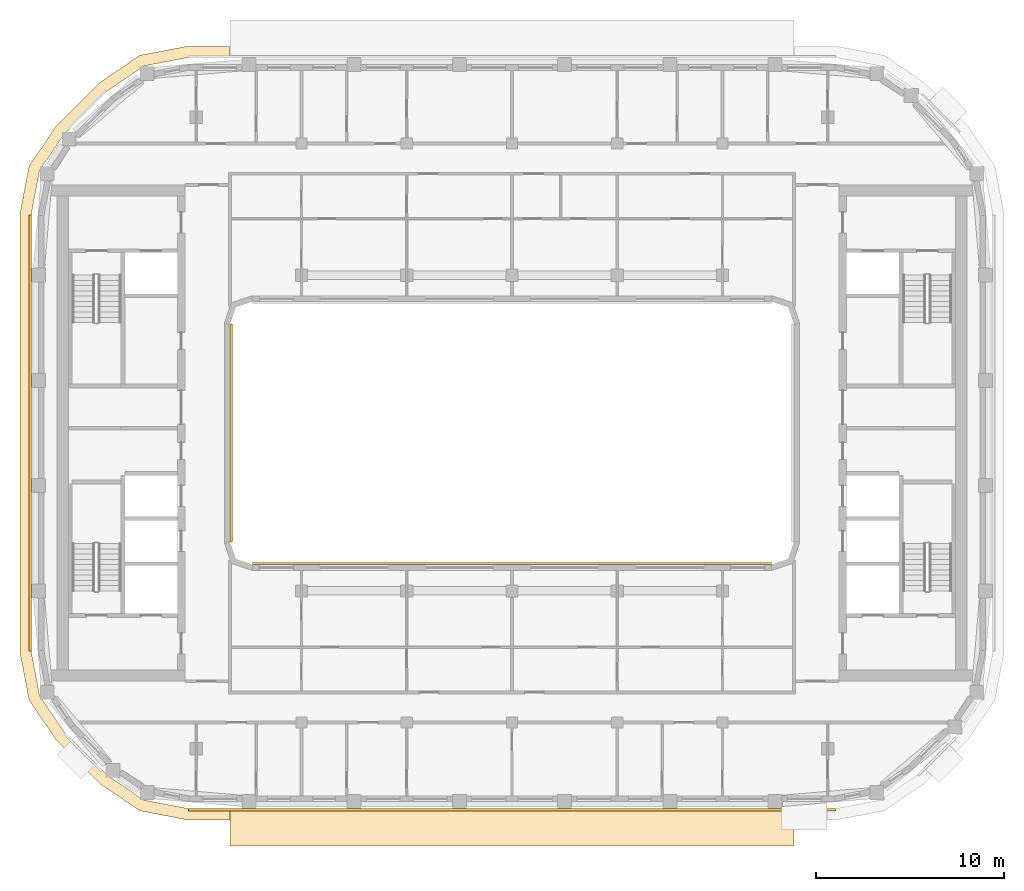
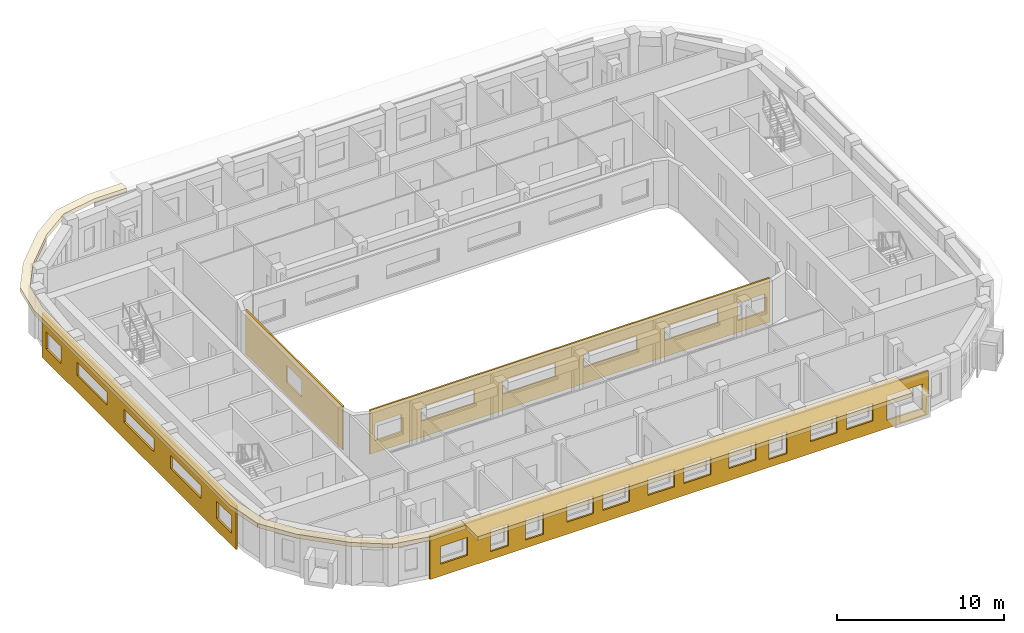
# One storey, part 11 of 16: 6 coverings.
"""IFC4 building model written with IfcOpenShell, lengths in metres."""

from ifc_helpers import new_model, si_unit, direction, frame, origin, place, context, subcontext, project, spatial, polyline, outline, extrude, material, layer, layer_set, type_object, element, save


model = new_model("IFC4")

# Units and contexts
model_context = context("Model", 3, precision=1e-05, world=origin(), true_north=direction((0.0, 1.0)))
body_context = subcontext(model_context, "Body", "Model", "MODEL_VIEW")
ifc_project = project(units=[si_unit("LENGTHUNIT", "METRE"), si_unit("AREAUNIT", "SQUARE_METRE"), si_unit("VOLUMEUNIT", "CUBIC_METRE"), si_unit("PLANEANGLEUNIT", "RADIAN"), si_unit("MASSUNIT", "GRAM", prefix="KILO")], contexts=[model_context])

# Site, building, storey
site_placement = place(None, origin())
site = spatial("IfcSite", under=ifc_project, at=site_placement, CompositionType="ELEMENT")
building_placement = place(site_placement, origin())
building = spatial("IfcBuilding", under=site, at=building_placement, Name="Kiln Ring Residences", CompositionType="ELEMENT")
storey_placement = place(building_placement, frame((0.0, 0.0, 273.199951171875)))
storey = spatial("IfcBuildingStorey", under=building, at=storey_placement, Name="L71", CompositionType="ELEMENT", Elevation=273.199951171875)

# Coverings
ifc_material_1 = material(Name="Brick masonry, dark clay brick", Category="masonry")
ifc_layer_1 = layer(ifc_material_1, 0.1201171875)
ifc_layer_set_1 = layer_set([ifc_layer_1], Name="RAINSCREEN PANEL 120")
covering_type_1 = type_object("IfcCoveringType", Name="RAINSCREEN PANEL 120", PredefinedType="CLADDING", material=ifc_layer_set_1)
covering_1_placement = place(storey_placement, frame((-17.199951171875, -20.034912109375, 0.0), z_axis=(0.0, 0.0, 1.0), x_axis=(1.0, 0.0, 0.0)))
element("IfcCovering", 1, at=covering_1_placement, inside=storey, type_object=covering_type_1, Name="RAINSCREEN L71", PredefinedType="CLADDING", context=body_context, shape_type="SweptSolid", body=[
    extrude(outline(polyline([(0.0, 0.0), (34.39990234375, 0.0), (34.39990234375, 3.199951171875), (0.0, 3.199951171875), (0.0, 0.0)]), holes=[polyline([(4.179931640625, 0.580078125), (5.419921875, 0.580078125), (5.419921875, 2.170166015625), (4.179931640625, 2.170166015625), (4.179931640625, 0.580078125)]), polyline([(6.580078125, 2.170166015625), (6.580078125, 0.580078125), (7.820068359375, 0.580078125), (7.820068359375, 2.170166015625), (6.580078125, 2.170166015625)]), polyline([(0.72998046875, 2.170166015625), (0.72998046875, 0.880126953125), (2.570068359375, 0.880126953125), (2.570068359375, 2.170166015625), (0.72998046875, 2.170166015625)]), polyline([(9.429931640625, 0.880126953125), (11.27001953125, 0.880126953125), (11.27001953125, 2.170166015625), (9.429931640625, 2.170166015625), (9.429931640625, 0.880126953125)]), polyline([(11.929931640625, 2.170166015625), (11.929931640625, 0.880126953125), (13.77001953125, 0.880126953125), (13.77001953125, 2.170166015625), (11.929931640625, 2.170166015625)]), polyline([(15.030029296875, 2.170166015625), (15.030029296875, 0.880126953125), (16.8701171875, 0.880126953125), (16.8701171875, 2.170166015625), (15.030029296875, 2.170166015625)]), polyline([(23.3798828125, 0.580078125), (24.6201171875, 0.580078125), (24.6201171875, 2.170166015625), (23.3798828125, 2.170166015625), (23.3798828125, 0.580078125)]), polyline([(31.530029296875, 2.3701171875), (31.530029296875, 0.580078125), (33.969970703125, 0.580078125), (33.969970703125, 2.3701171875), (31.530029296875, 2.3701171875)]), polyline([(17.530029296875, 2.170166015625), (17.530029296875, 0.880126953125), (19.3701171875, 0.880126953125), (19.3701171875, 2.170166015625), (17.530029296875, 2.170166015625)]), polyline([(20.6298828125, 0.880126953125), (22.469970703125, 0.880126953125), (22.469970703125, 2.170166015625), (20.6298828125, 2.170166015625), (20.6298828125, 0.880126953125)]), polyline([(26.22998046875, 2.170166015625), (26.22998046875, 0.880126953125), (28.070068359375, 0.880126953125), (28.070068359375, 2.170166015625), (26.22998046875, 2.170166015625)]), polyline([(28.72998046875, 2.170166015625), (28.72998046875, 0.880126953125), (30.570068359375, 0.880126953125), (30.570068359375, 2.170166015625), (28.72998046875, 2.170166015625)])]), frame((0.0, 0.06005859375, 0.0), z_axis=(0.0, -1.0, 0.0), x_axis=(1.0, 0.0, 0.0)), (0.0, 0.0, 1.0), 0.1201171875),
])
covering_2_placement = place(storey_placement, frame((-25.635009765625, 11.60009765625, 0.0), z_axis=(0.0, 0.0, 1.0), x_axis=(0.0, -1.0, 0.0)))
element("IfcCovering", 2, at=covering_2_placement, inside=storey, type_object=covering_type_1, Name="RAINSCREEN L71", PredefinedType="CLADDING", context=body_context, shape_type="SweptSolid", body=[
    extrude(outline(polyline([(0.0, 0.0), (23.199951171875, 0.0), (23.199951171875, 3.199951171875), (0.0, 3.199951171875), (0.0, 0.0)]), holes=[polyline([(2.3125, 0.900146484375), (2.3125, 2.150146484375), (0.512451171875, 2.150146484375), (0.512451171875, 0.900146484375), (2.3125, 0.900146484375)]), polyline([(22.6875, 0.900146484375), (22.6875, 2.150146484375), (20.887451171875, 2.150146484375), (20.887451171875, 0.900146484375), (22.6875, 0.900146484375)]), polyline([(7.800048828125, 1.199951171875), (7.800048828125, 2.150146484375), (4.199951171875, 2.150146484375), (4.199951171875, 1.199951171875), (7.800048828125, 1.199951171875)]), polyline([(9.800048828125, 1.199951171875), (13.39990234375, 1.199951171875), (13.39990234375, 2.150146484375), (9.800048828125, 2.150146484375), (9.800048828125, 1.199951171875)]), polyline([(15.39990234375, 1.199951171875), (19.0, 1.199951171875), (19.0, 2.150146484375), (15.39990234375, 2.150146484375), (15.39990234375, 1.199951171875)])]), frame((0.0, 0.06005859375, 0.0), z_axis=(0.0, -1.0, 0.0), x_axis=(1.0, 0.0, 0.0)), (0.0, 0.0, 1.0), 0.1201171875),
])
covering_3_placement = place(storey_placement, frame((-14.93994140625, -5.800048828125, 0.0), z_axis=(0.0, 0.0, 1.0), x_axis=(0.0, 1.0, 0.0)))
element("IfcCovering", 3, at=covering_3_placement, inside=storey, type_object=covering_type_1, Name="RAINSCREEN L71", PredefinedType="CLADDING", context=body_context, shape_type="SweptSolid", body=[
    extrude(outline(polyline([(0.0, 0.0), (11.60009765625, 0.0), (11.60009765625, 3.199951171875), (0.0, 3.199951171875), (0.0, 0.0)]), holes=[polyline([(4.89990234375, 2.150146484375), (4.89990234375, 0.900146484375), (6.699951171875, 0.900146484375), (6.699951171875, 2.150146484375), (4.89990234375, 2.150146484375)])]), frame((0.0, 0.06005859375, 0.0), z_axis=(0.0, -1.0, 0.0), x_axis=(1.0, 0.0, 0.0)), (0.0, 0.0, 1.0), 0.1201171875),
])
covering_4_placement = place(storey_placement, frame((13.800048828125, -6.93994140625, 0.0), z_axis=(0.0, 0.0, 1.0), x_axis=(-1.0, 0.0, 0.0)))
element("IfcCovering", 4, at=covering_4_placement, inside=storey, type_object=covering_type_1, Name="RAINSCREEN L71", PredefinedType="CLADDING", context=body_context, shape_type="SweptSolid", body=[
    extrude(outline(polyline([(0.0, 0.0), (27.60009765625, 0.0), (27.60009765625, 3.199951171875), (0.0, 3.199951171875), (0.0, 0.0)]), holes=[polyline([(2.1826171875, 0.880126953125), (2.1826171875, 2.170166015625), (0.342529296875, 2.170166015625), (0.342529296875, 0.880126953125), (2.1826171875, 0.880126953125)]), polyline([(25.41748046875, 0.880126953125), (27.257568359375, 0.880126953125), (27.257568359375, 2.170166015625), (25.41748046875, 2.170166015625), (25.41748046875, 0.880126953125)]), polyline([(3.580078125, 1.179931640625), (7.219970703125, 1.179931640625), (7.219970703125, 2.170166015625), (3.580078125, 2.170166015625), (3.580078125, 1.179931640625)]), polyline([(12.820068359375, 1.179931640625), (12.820068359375, 2.170166015625), (9.179931640625, 2.170166015625), (9.179931640625, 1.179931640625), (12.820068359375, 1.179931640625)]), polyline([(14.780029296875, 1.179931640625), (18.419921875, 1.179931640625), (18.419921875, 2.170166015625), (14.780029296875, 2.170166015625), (14.780029296875, 1.179931640625)]), polyline([(20.3798828125, 1.179931640625), (24.02001953125, 1.179931640625), (24.02001953125, 2.170166015625), (20.3798828125, 2.170166015625), (20.3798828125, 1.179931640625)])]), frame((0.0, 0.06005859375, 0.0), z_axis=(0.0, -1.0, 0.0), x_axis=(1.0, 0.0, 0.0)), (0.0, 0.0, 1.0), 0.1201171875),
])
ifc_material_2 = material(Name="Black powder-coated steel", Category="steel")
ifc_layer_2 = layer(ifc_material_2, 0.300048828125)
ifc_layer_set_2 = layer_set([ifc_layer_2], Name="SUNSHADE BAND 2000")
covering_type_2 = type_object("IfcCoveringType", Name="SUNSHADE BAND 2000", PredefinedType="CLADDING", material=ifc_layer_set_2)
placement = place(storey_placement, frame((0.0, 0.0, 3.199951171875)))
element("IfcCovering", 5, at=placement, inside=storey, type_object=covering_type_2, Name="SUNSHADE BAND L71", PredefinedType="CLADDING", context=body_context, shape_type="SweptSolid", body=[
    extrude(outline(polyline([(-15.0, -21.97509765625), (15.0, -21.97509765625), (15.0, -19.97509765625), (-15.0, -19.97509765625), (-15.0, -21.97509765625)])), origin(), (0.0, 0.0, 1.0), 0.300048828125),
])
ifc_material_3 = material(Name="Black powder-coated steel", Category="steel")
ifc_layer_3 = layer(ifc_material_3, 0.300048828125)
ifc_layer_set_3 = layer_set([ifc_layer_3], Name="SUNSHADE FIN 600")
covering_type_3 = type_object("IfcCoveringType", Name="SUNSHADE FIN 600", PredefinedType="CLADDING", material=ifc_layer_set_3)
element("IfcCovering", 6, at=placement, inside=storey, type_object=covering_type_3, Name="SUNSHADE FIN L71", PredefinedType="CLADDING", context=body_context, shape_type="SweptSolid", body=[
    extrude(outline(polyline([(-26.175048828125, -11.692138671875), (-25.695556640625, -14.205322265625), (-24.257568359375, -16.3212890625), (-21.92138671875, -18.657470703125), (-19.805419921875, -20.095703125), (-17.292236328125, -20.574951171875), (-15.0, -20.574951171875), (-15.0, -19.97509765625), (-17.2353515625, -19.97509765625), (-19.57080078125, -19.529541015625), (-21.537109375, -18.193115234375), (-23.793212890625, -15.937255859375), (-25.12939453125, -13.970703125), (-25.574951171875, -11.635498046875), (-25.574951171875, 11.635498046875), (-25.12939453125, 13.970703125), (-23.793212890625, 15.937255859375), (-21.537109375, 18.193115234375), (-19.57080078125, 19.529541015625), (-17.2353515625, 19.97509765625), (-15.0, 19.97509765625), (-15.0, 20.574951171875), (-17.292236328125, 20.574951171875), (-19.805419921875, 20.095703125), (-21.92138671875, 18.657470703125), (-24.257568359375, 16.3212890625), (-25.695556640625, 14.205322265625), (-26.175048828125, 11.692138671875), (-26.175048828125, -11.692138671875)])), origin(), (0.0, 0.0, 1.0), 0.300048828125),
])

save(model, "model.ifc")
